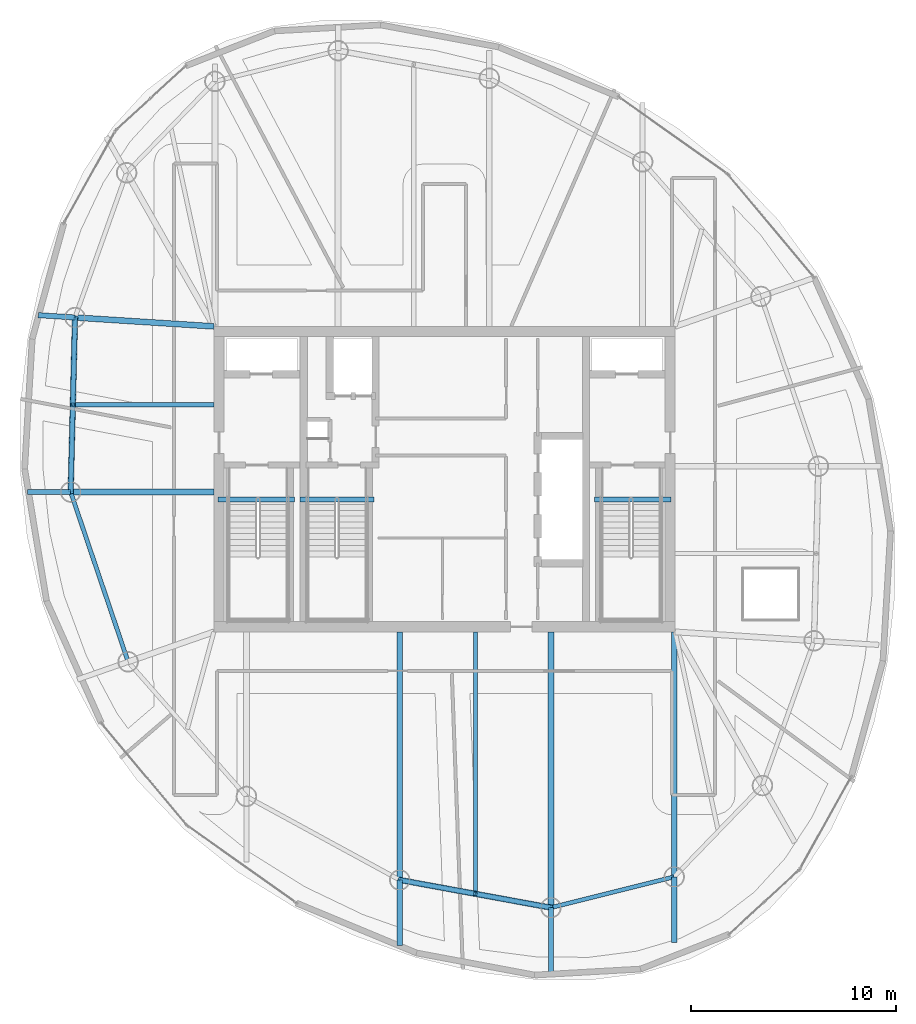
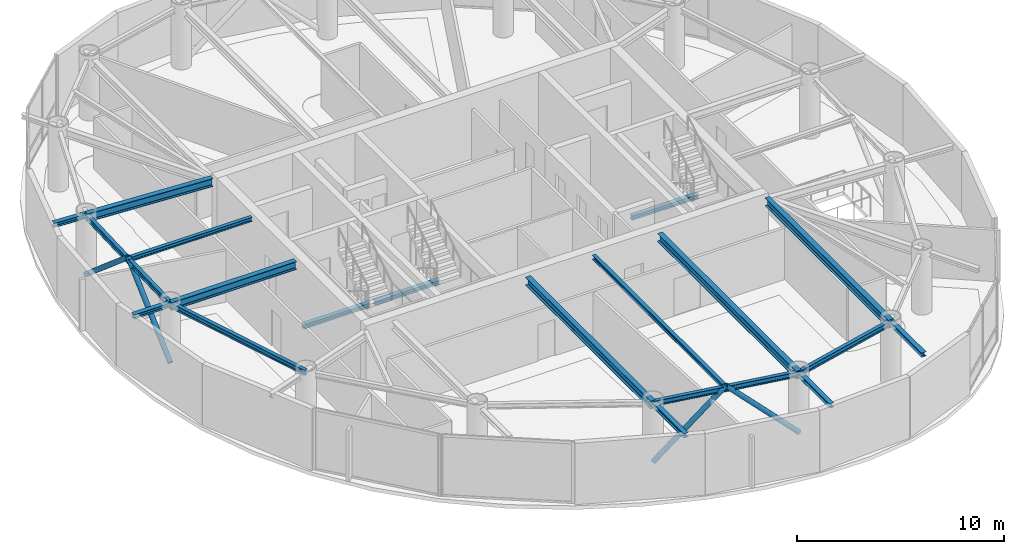
# One storey, part 4 of 17: 19 beams, 4 members.
"""IFC4 building model written with IfcOpenShell, lengths in metres."""

import ifcopenshell
import ifcopenshell.guid

model = None  # the IFC model being written
_history = None  # IfcOwnerHistory: only IFC2X3 demands one
_inside = {}  # id of a spatial element -> (the spatial element, [elements in it])
_under = {}  # id of a project, library or spatial element -> (it, [spatial elements below it])
_declared = {}  # id of a project -> (the project, [libraries it declares])
_typed = {}  # id of a type object -> (the type object, [elements of that type])
_made_of = {}  # id of a material, layer set ... -> (it, [elements and type objects made of it])


def new_model(schema):
    """Start an empty IFC model of exactly this schema.

    Asked for "IFC4X3", IfcOpenShell would pick the latest addendum, in which some entities
    have other attributes; the version numbers below select the first issue.
    IFC2X3 requires an IfcOwnerHistory on every rooted entity: one is made here for all.
    """
    global model, _history
    if schema == "IFC4X3":
        model = ifcopenshell.file(schema_version=(4, 3, 0, 0))
    else:
        model = ifcopenshell.file(schema=schema)
    _inside.clear()
    _under.clear()
    _declared.clear()
    _typed.clear()
    _made_of.clear()
    _history = None
    if model.schema == "IFC2X3":
        org = make("IfcOrganization", Name="unknown")
        user = make(
            "IfcPersonAndOrganization",
            ThePerson=make("IfcPerson", FamilyName="unknown"),
            TheOrganization=org,
        )
        app = make(
            "IfcApplication",
            ApplicationDeveloper=org,
            Version="unknown",
            ApplicationFullName="unknown",
            ApplicationIdentifier="unknown",
        )
        _history = make(
            "IfcOwnerHistory",
            OwningUser=user,
            OwningApplication=app,
            ChangeAction="ADDED",
            CreationDate=0,
        )
    return model


def make(cls, **values):
    """One entity of the class cls with the attributes given. An attribute that is None is left unset."""
    return model.create_entity(
        cls, **{name: value for name, value in values.items() if value is not None}
    )


def rooted(cls, **values):
    """An entity with a GlobalId (a new one), such as an element, a storey or a relation."""
    return make(cls, GlobalId=ifcopenshell.guid.new(), OwnerHistory=_history, **values)


def si_unit(unit_type, name, prefix=None):
    """IfcSIUnit, for example si_unit("LENGTHUNIT", "METRE", prefix="MILLI")."""
    return make("IfcSIUnit", UnitType=unit_type, Prefix=prefix, Name=name)


def assignment(units):
    """IfcUnitAssignment: the units of a project."""
    return None if units is None else make("IfcUnitAssignment", Units=units)


def point(xyz):
    """IfcCartesianPoint."""
    return None if xyz is None else make("IfcCartesianPoint", Coordinates=xyz)


def direction(xyz):
    """IfcDirection."""
    return None if xyz is None else make("IfcDirection", DirectionRatios=xyz)


def frame(location, z_axis=None, x_axis=None):
    """IfcAxis2Placement3D, a coordinate frame: its origin and axes. An axis left out is left unset."""
    return make(
        "IfcAxis2Placement3D",
        Location=point(location),
        Axis=direction(z_axis),
        RefDirection=direction(x_axis),
    )


def frame_2d(location, x_axis=None):
    """IfcAxis2Placement2D, a coordinate frame in the plane: its origin and x axis."""
    return make(
        "IfcAxis2Placement2D", Location=point(location), RefDirection=direction(x_axis)
    )


def origin():
    """The frame at (0, 0, 0) with its axes left unset."""
    return frame((0.0, 0.0, 0.0))


def origin_2d():
    """The frame at (0, 0) in the plane with its x axis left unset."""
    return frame_2d((0.0, 0.0))


def place(relative_to, where):
    """IfcLocalPlacement: puts the frame where relative to a parent placement (None: the world)."""
    return make(
        "IfcLocalPlacement", PlacementRelTo=relative_to, RelativePlacement=where
    )


def context(
    kind, dimensions, precision=None, world=None, true_north=None, identifier=None
):
    """IfcGeometricRepresentationContext, for example the 3D "Model" context."""
    return make(
        "IfcGeometricRepresentationContext",
        ContextIdentifier=identifier,
        ContextType=kind,
        CoordinateSpaceDimension=dimensions,
        Precision=precision,
        WorldCoordinateSystem=world,
        TrueNorth=true_north,
    )


def subcontext(parent, identifier, kind, view, scale=None):
    """IfcGeometricRepresentationSubContext, for example "Body" below "Model"."""
    return make(
        "IfcGeometricRepresentationSubContext",
        ContextIdentifier=identifier,
        ContextType=kind,
        ParentContext=parent,
        TargetScale=scale,
        TargetView=view,
    )


def project(units=None, contexts=None):
    """IfcProject with its units and contexts."""
    return rooted(
        "IfcProject",
        Name="project",
        RepresentationContexts=contexts,
        UnitsInContext=assignment(units),
    )


def spatial(cls, under=None, at=None, **own):
    """A site, building, storey or space (cls), placed at a placement, below another one or the project."""
    s = rooted(cls, ObjectPlacement=at, **own)
    if under is not None:
        _under.setdefault(under.id(), (under, []))[1].append(s)
    return s


def profile(cls, at=None, kind="AREA", **sizes):
    """A parametric profile (cls). Its sizes go by their IFC names, for example OverallWidth=200.0."""
    return make(cls, ProfileType=kind, Position=at, **sizes)


def hollow_circle(**sizes):
    """IfcCircleHollowProfileDef."""
    return profile("IfcCircleHollowProfileDef", **sizes)


def i_section(**sizes):
    """IfcIShapeProfileDef."""
    return profile("IfcIShapeProfileDef", **sizes)


def extrude(swept, where, along, depth):
    """IfcExtrudedAreaSolid: the profile swept, set in the frame where, extruded along a direction by depth."""
    return make(
        "IfcExtrudedAreaSolid",
        SweptArea=swept,
        Position=where,
        ExtrudedDirection=direction(along),
        Depth=depth,
    )


def shape(context_of_items, identifier, shape_type, items):
    """IfcShapeRepresentation: the items that make up one representation, for example the "Body"."""
    return make(
        "IfcShapeRepresentation",
        ContextOfItems=context_of_items,
        RepresentationIdentifier=identifier,
        RepresentationType=shape_type,
        Items=items,
    )


def material(Name=None, Category=None):
    """IfcMaterial."""
    return make("IfcMaterial", Name=Name, Category=Category)


def material_profile(
    of_material, cross_section, Name=None, Category=None, Priority=None
):
    """IfcMaterialProfile: a cross section and its material."""
    return make(
        "IfcMaterialProfile",
        Name=Name,
        Material=of_material,
        Profile=cross_section,
        Priority=Priority,
        Category=Category,
    )


def profile_set(profiles, Name=None, composite=None):
    """IfcMaterialProfileSet."""
    return make(
        "IfcMaterialProfileSet",
        Name=Name,
        MaterialProfiles=profiles,
        CompositeProfile=composite,
    )


def made_of(thing, what):
    """Note that an element or type object is made of a material, layer set ...; save() writes the relation."""
    if what is not None:
        _made_of.setdefault(what.id(), (what, []))[1].append(thing)
    return thing


def type_object(cls, material=None, **own):
    """A type object (cls), such as IfcWallType, which elements share."""
    return made_of(rooted(cls, **own), material)


def element(
    cls,
    number,
    at=None,
    inside=None,
    cuts=None,
    type_object=None,
    material=None,
    context=None,
    identifier="Body",
    shape_type=None,
    held_by="IfcProductDefinitionShape",
    body=None,
    shapes=None,
    **own,
):
    """One element of the class cls, such as IfcWall. Its Tag is "e" and its number.

    at: its placement. inside: the storey or other place that contains it. cuts: it is an
    opening in that element (IfcRelVoidsElement). A single representation is given by context,
    identifier, shape_type and body (its items); several are given by shapes. held_by: the class
    of the entity that holds the representations. save() writes the other relations.
    """
    e = rooted(cls, Tag="e%d" % number, ObjectPlacement=at, **own)
    if body is not None:
        shapes = [shape(context, identifier, shape_type, body)]
    if shapes is not None:
        e.Representation = make(held_by, Representations=shapes)
    if inside is not None:
        _inside.setdefault(inside.id(), (inside, []))[1].append(e)
    if cuts is not None:
        rooted(
            "IfcRelVoidsElement", RelatingBuildingElement=cuts, RelatedOpeningElement=e
        )
    if type_object is not None:
        _typed.setdefault(type_object.id(), (type_object, []))[1].append(e)
    return made_of(e, material)


def aggregate(whole, parts):
    """IfcRelAggregates: a whole, such as a stair, and the parts it consists of."""
    return rooted("IfcRelAggregates", RelatingObject=whole, RelatedObjects=parts)


def save(model, path):
    """Write the relations noted so far, then the file.

    IfcRelAggregates (storeys below a building ...), IfcRelContainedInSpatialStructure (elements
    in a storey), IfcRelDefinesByType, IfcRelAssociatesMaterial and IfcRelDeclares: one each for
    every whole, place, type object, material and project.
    """
    for whole, parts in _under.values():
        aggregate(whole, parts)
    for where, things in _inside.values():
        rooted(
            "IfcRelContainedInSpatialStructure",
            RelatedElements=things,
            RelatingStructure=where,
        )
    for kind, things in _typed.values():
        rooted("IfcRelDefinesByType", RelatedObjects=things, RelatingType=kind)
    for what, things in _made_of.values():
        rooted("IfcRelAssociatesMaterial", RelatedObjects=things, RelatingMaterial=what)
    for by, libraries in _declared.values():
        rooted("IfcRelDeclares", RelatingContext=by, RelatedDefinitions=libraries)
    model.write(path)


model = new_model("IFC4")

# Units and contexts
model_context = context("Model", 3, precision=1e-05, world=origin(), true_north=direction((0.0, 1.0)))
body_context = subcontext(model_context, "Body", "Model", "MODEL_VIEW")
ifc_project = project(units=[si_unit("LENGTHUNIT", "METRE"), si_unit("AREAUNIT", "SQUARE_METRE"), si_unit("VOLUMEUNIT", "CUBIC_METRE"), si_unit("PLANEANGLEUNIT", "RADIAN"), si_unit("MASSUNIT", "GRAM", prefix="KILO")], contexts=[model_context])

# Site, building, storey
site_placement = place(None, origin())
site = spatial("IfcSite", under=ifc_project, at=site_placement, CompositionType="ELEMENT")
building_placement = place(site_placement, origin())
building = spatial("IfcBuilding", under=site, at=building_placement, Name="Bramvorn Convention Spire", CompositionType="ELEMENT")
storey_placement = place(building_placement, frame((0.0, 0.0, 265.14990234375)))
storey = spatial("IfcBuildingStorey", under=building, at=storey_placement, Name="L67", CompositionType="ELEMENT", Elevation=265.14990234375)

# Beams
ifc_material = material(Name="Steel CSA G40.21 Grade 350 (350W)", Category="steel")
ifc_material_profile_1 = material_profile(ifc_material, i_section(OverallWidth=0.201904296875, OverallDepth=0.2470703125, WebThickness=0.00732421875, FlangeThickness=0.010986328125, FilletRadius=0.011962890625, at=origin_2d()))
ifc_profile_set_1 = profile_set([ifc_material_profile_1], Name="Steel CSA G40.21 Grade 350 (350W) - W250X49")
beam_type_1 = type_object("IfcBeamType", Name="BM-W250X49", PredefinedType="JOIST", material=ifc_profile_set_1)
beam_1_placement = place(storey_placement, frame((26.75, 29.626953125, 3.501708984375), z_axis=(-1.0, 0.0, 0.0), x_axis=(0.0, -1.0, 0.0)))
element("IfcBeam", 1, at=beam_1_placement, inside=storey, type_object=beam_type_1, Name="L67 composite floor joist 11", PredefinedType="JOIST", context=body_context, shape_type="SweptSolid", body=[
    extrude(i_section(OverallWidth=0.201904296875, OverallDepth=0.2470703125, WebThickness=0.00732421875, FlangeThickness=0.010986328125, FilletRadius=0.011962890625, at=origin_2d()), origin(), (0.0, 0.0, 1.0), 6.879150390625),
])
beam_2_placement = place(storey_placement, frame((39.501953125, 18.550048828125, 3.501708984375), z_axis=(0.0, -1.0, 0.0), x_axis=(1.0, 0.0, 0.0)))
element("IfcBeam", 2, at=beam_2_placement, inside=storey, type_object=beam_type_1, Name="L67 composite floor joist 15", PredefinedType="JOIST", context=body_context, shape_type="SweptSolid", body=[
    extrude(i_section(OverallWidth=0.201904296875, OverallDepth=0.2470703125, WebThickness=0.00732421875, FlangeThickness=0.010986328125, FilletRadius=0.011962890625, at=origin_2d()), origin(), (0.0, 0.0, 1.0), 12.77587890625),
])
ifc_material_profile_2 = material_profile(ifc_material, i_section(OverallWidth=0.25390625, OverallDepth=0.2529296875, WebThickness=0.008544921875, FlangeThickness=0.01416015625, FilletRadius=0.011962890625, at=origin_2d()))
ifc_profile_set_2 = profile_set([ifc_material_profile_2], Name="Steel CSA G40.21 Grade 350 (350W) - W250X73")
beam_type_2 = type_object("IfcBeamType", Name="BM-W250X73", PredefinedType="BEAM", material=ifc_profile_set_2)
beam_3_placement = place(storey_placement, frame((49.199951171875, 6.60107421875, 3.49853515625), z_axis=(0.0, -1.0, 0.0), x_axis=(1.0, 0.0, 0.0)))
element("IfcBeam", 3, at=beam_3_placement, inside=storey, type_object=beam_type_2, Name="L67 slab-edge cantilever tip beam MC01", PredefinedType="BEAM", context=body_context, shape_type="SweptSolid", body=[
    extrude(i_section(OverallWidth=0.25390625, OverallDepth=0.2529296875, WebThickness=0.008544921875, FlangeThickness=0.01416015625, FilletRadius=0.011962890625, at=origin_2d()), origin(), (0.0, 0.0, 1.0), 3.2001953125),
])
beam_4_placement = place(storey_placement, frame((19.976318359375, 33.883544921875, 3.49853515625), z_axis=(-0.997961529867, 0.063818374353, 0.0), x_axis=(-0.063818374353, -0.997961529867, 0.0)))
element("IfcBeam", 4, at=beam_4_placement, inside=storey, type_object=beam_type_2, Name="L67 slab-edge cantilever tip beam MC11", PredefinedType="BEAM", context=body_context, shape_type="SweptSolid", body=[
    extrude(i_section(OverallWidth=0.25390625, OverallDepth=0.2529296875, WebThickness=0.008544921875, FlangeThickness=0.01416015625, FilletRadius=0.011962890625, at=origin_2d()), origin(), (0.0, 0.0, 1.0), 1.794189453125),
])
beam_5_placement = place(storey_placement, frame((19.765380859375, 25.37060546875, 3.49853515625), z_axis=(-1.0, 0.0, 0.0), x_axis=(0.0, -1.0, 0.0)))
element("IfcBeam", 5, at=beam_5_placement, inside=storey, type_object=beam_type_2, Name="L67 slab-edge cantilever tip beam MC12", PredefinedType="BEAM", context=body_context, shape_type="SweptSolid", body=[
    extrude(i_section(OverallWidth=0.25390625, OverallDepth=0.2529296875, WebThickness=0.008544921875, FlangeThickness=0.01416015625, FilletRadius=0.011962890625, at=origin_2d()), origin(), (0.0, 0.0, 1.0), 2.100830078125),
])
for number, where, z_axis, x_axis, name in (
    (6, (35.8154296875, 6.44921875, 3.49853515625), (0.0, -1.0, 0.0), (1.0, 0.0, 0.0), "L67 slab-edge cantilever tip beam MC15"),
    (7, (43.1884765625, 5.09912109375, 3.49853515625), (0.0, -1.0, 0.0), (1.0, 0.0, 0.0), "L67 slab-edge cantilever tip beam MC16"),
):
    element("IfcBeam", number, at=place(storey_placement, frame(where, z_axis=z_axis, x_axis=x_axis)), inside=storey, type_object=beam_type_2, Name=name, PredefinedType="BEAM", context=body_context, shape_type="SweptSolid", body=[
        extrude(i_section(OverallWidth=0.25390625, OverallDepth=0.2529296875, WebThickness=0.008544921875, FlangeThickness=0.01416015625, FilletRadius=0.011962890625, at=origin_2d()), origin(), (0.0, 0.0, 1.0), 3.199951171875),
    ])
for number, where, z_axis, x_axis, name in (
    (8, (26.949951171875, 25.010009765625, -0.12646484375), (1.0, 0.0, 0.0), (0.0, 1.0, 0.0), "L67 ST1 stair arrival header beam"),
    (9, (45.31005859375, 25.010009765625, -0.12646484375), (1.0, 0.0, 0.0), (0.0, 1.0, 0.0), "L67 ST2 stair arrival header beam"),
):
    element("IfcBeam", number, at=place(storey_placement, frame(where, z_axis=z_axis, x_axis=x_axis)), inside=storey, type_object=beam_type_2, Name=name, PredefinedType="BEAM", context=body_context, shape_type="SweptSolid", body=[
        extrude(i_section(OverallWidth=0.25390625, OverallDepth=0.2529296875, WebThickness=0.008544921875, FlangeThickness=0.01416015625, FilletRadius=0.011962890625, at=origin_2d()), origin(), (0.0, 0.0, 1.0), 3.739990234375),
    ])
beam_6_placement = place(storey_placement, frame((30.949951171875, 25.010009765625, -0.12646484375), z_axis=(1.0, 0.0, 0.0), x_axis=(0.0, 1.0, 0.0)))
element("IfcBeam", 10, at=beam_6_placement, inside=storey, type_object=beam_type_2, Name="L67 ST3 stair arrival header beam", PredefinedType="BEAM", context=body_context, shape_type="SweptSolid", body=[
    extrude(i_section(OverallWidth=0.25390625, OverallDepth=0.2529296875, WebThickness=0.008544921875, FlangeThickness=0.01416015625, FilletRadius=0.011962890625, at=origin_2d()), origin(), (0.0, 0.0, 1.0), 3.610107421875),
])
ifc_material_profile_3 = material_profile(ifc_material, i_section(OverallWidth=0.202880859375, OverallDepth=0.302978515625, WebThickness=0.007568359375, FlangeThickness=0.01318359375, FilletRadius=0.013916015625, at=origin_2d()))
ifc_profile_set_3 = profile_set([ifc_material_profile_3], Name="Steel CSA G40.21 Grade 350 (350W) - W310X60")
beam_type_3 = type_object("IfcBeamType", Name="BM-W310X60", PredefinedType="JOIST", material=ifc_profile_set_3)
beam_7_placement = place(storey_placement, frame((19.976318359375, 33.883544921875, 3.4736328125), z_axis=(-0.024770853371, -0.999693155335, 0.0), x_axis=(0.999693155335, -0.024770853371, 0.0)))
element("IfcBeam", 11, at=beam_7_placement, inside=storey, type_object=beam_type_3, Name="L67 mega-column ring beam 11", PredefinedType="JOIST", context=body_context, shape_type="SweptSolid", body=[
    extrude(i_section(OverallWidth=0.202880859375, OverallDepth=0.302978515625, WebThickness=0.007568359375, FlangeThickness=0.01318359375, FilletRadius=0.013916015625, at=origin_2d()), origin(), (0.0, 0.0, 1.0), 8.515625),
])
beam_8_placement = place(storey_placement, frame((19.765380859375, 25.37060546875, 3.4736328125), z_axis=(0.320531023763, -0.947238018032, 0.0), x_axis=(0.947238018032, 0.320531023763, 0.0)))
element("IfcBeam", 12, at=beam_8_placement, inside=storey, type_object=beam_type_3, Name="L67 mega-column ring beam 12", PredefinedType="JOIST", context=body_context, shape_type="SweptSolid", body=[
    extrude(i_section(OverallWidth=0.202880859375, OverallDepth=0.302978515625, WebThickness=0.007568359375, FlangeThickness=0.01318359375, FilletRadius=0.013916015625, at=origin_2d()), origin(), (0.0, 0.0, 1.0), 8.74169921875),
])
beam_9_placement = place(storey_placement, frame((35.8154296875, 6.44921875, 3.4736328125), z_axis=(0.983645049461, -0.180117785547, 0.0), x_axis=(0.180117785547, 0.983645049461, 0.0)))
element("IfcBeam", 13, at=beam_9_placement, inside=storey, type_object=beam_type_3, Name="L67 mega-column ring beam 15", PredefinedType="JOIST", context=body_context, shape_type="SweptSolid", body=[
    extrude(i_section(OverallWidth=0.202880859375, OverallDepth=0.302978515625, WebThickness=0.007568359375, FlangeThickness=0.01318359375, FilletRadius=0.013916015625, at=origin_2d()), origin(), (0.0, 0.0, 1.0), 7.49560546875),
])
beam_10_placement = place(storey_placement, frame((43.1884765625, 5.09912109375, 3.4736328125), z_axis=(0.970177255997, 0.24239655927, 0.0), x_axis=(-0.24239655927, 0.970177255997, 0.0)))
element("IfcBeam", 14, at=beam_10_placement, inside=storey, type_object=beam_type_3, Name="L67 mega-column ring beam 16", PredefinedType="JOIST", context=body_context, shape_type="SweptSolid", body=[
    extrude(i_section(OverallWidth=0.202880859375, OverallDepth=0.302978515625, WebThickness=0.007568359375, FlangeThickness=0.01318359375, FilletRadius=0.013916015625, at=origin_2d()), origin(), (0.0, 0.0, 1.0), 6.1962890625),
])
ifc_material_profile_4 = material_profile(ifc_material, i_section(OverallWidth=0.283935546875, OverallDepth=0.47607421875, WebThickness=0.014892578125, FlangeThickness=0.02392578125, FilletRadius=0.01806640625, at=origin_2d()))
ifc_profile_set_4 = profile_set([ifc_material_profile_4], Name="Steel CSA G40.21 Grade 350 (350W) - W460X158")
beam_type_4 = type_object("IfcBeamType", Name="BM-W460X158", PredefinedType="SPANDREL", material=ifc_profile_set_4)
beam_11_placement = place(storey_placement, frame((49.199951171875, 18.550048828125, 3.38720703125), z_axis=(0.0, -1.0, 0.0), x_axis=(1.0, 0.0, 0.0)))
element("IfcBeam", 15, at=beam_11_placement, inside=storey, type_object=beam_type_4, Name="L67 radial floor girder MC01", PredefinedType="SPANDREL", context=body_context, shape_type="SweptSolid", body=[
    extrude(i_section(OverallWidth=0.283935546875, OverallDepth=0.47607421875, WebThickness=0.014892578125, FlangeThickness=0.02392578125, FilletRadius=0.01806640625, at=origin_2d()), origin(), (0.0, 0.0, 1.0), 11.948974609375),
])
beam_12_placement = place(storey_placement, frame((26.75, 33.449951171875, 3.38720703125), z_axis=(-0.997957536354, 0.063880792379, 0.0), x_axis=(-0.063880792379, -0.997957536354, 0.0)))
element("IfcBeam", 16, at=beam_12_placement, inside=storey, type_object=beam_type_4, Name="L67 radial floor girder MC11", PredefinedType="SPANDREL", context=body_context, shape_type="SweptSolid", body=[
    extrude(i_section(OverallWidth=0.283935546875, OverallDepth=0.47607421875, WebThickness=0.014892578125, FlangeThickness=0.02392578125, FilletRadius=0.01806640625, at=origin_2d()), origin(), (0.0, 0.0, 1.0), 6.78759765625),
])
beam_13_placement = place(storey_placement, frame((26.75, 25.37060546875, 3.38720703125), z_axis=(-1.0, 0.0, 0.0), x_axis=(0.0, -1.0, 0.0)))
element("IfcBeam", 17, at=beam_13_placement, inside=storey, type_object=beam_type_4, Name="L67 radial floor girder MC12", PredefinedType="SPANDREL", context=body_context, shape_type="SweptSolid", body=[
    extrude(i_section(OverallWidth=0.283935546875, OverallDepth=0.47607421875, WebThickness=0.014892578125, FlangeThickness=0.02392578125, FilletRadius=0.01806640625, at=origin_2d()), origin(), (0.0, 0.0, 1.0), 6.984619140625),
])
beam_14_placement = place(storey_placement, frame((35.8154296875, 18.550048828125, 3.38720703125), z_axis=(0.0, -1.0, 0.0), x_axis=(1.0, 0.0, 0.0)))
element("IfcBeam", 18, at=beam_14_placement, inside=storey, type_object=beam_type_4, Name="L67 radial floor girder MC15", PredefinedType="SPANDREL", context=body_context, shape_type="SweptSolid", body=[
    extrude(i_section(OverallWidth=0.283935546875, OverallDepth=0.47607421875, WebThickness=0.014892578125, FlangeThickness=0.02392578125, FilletRadius=0.01806640625, at=origin_2d()), origin(), (0.0, 0.0, 1.0), 12.100830078125),
])
beam_15_placement = place(storey_placement, frame((43.1884765625, 18.550048828125, 3.38720703125), z_axis=(0.0, -1.0, 0.0), x_axis=(1.0, 0.0, 0.0)))
element("IfcBeam", 19, at=beam_15_placement, inside=storey, type_object=beam_type_4, Name="L67 radial floor girder MC16", PredefinedType="SPANDREL", context=body_context, shape_type="SweptSolid", body=[
    extrude(i_section(OverallWidth=0.283935546875, OverallDepth=0.47607421875, WebThickness=0.014892578125, FlangeThickness=0.02392578125, FilletRadius=0.01806640625, at=origin_2d()), origin(), (0.0, 0.0, 1.0), 13.450927734375),
])

# Members
ifc_material_profile_5 = material_profile(ifc_material, hollow_circle(Radius=0.136474609375, WallThickness=0.0126953125, at=origin_2d()))
ifc_profile_set_5 = profile_set([ifc_material_profile_5], Name="Steel CSA G40.21 Grade 350 (350W) - CHS273X13")
member_type = type_object("IfcMemberType", Name="MBR-CHS273X13", PredefinedType="BRACE", material=ifc_profile_set_5)
member_1_placement = place(storey_placement, frame((19.976318359375, 33.883544921875, 0.0), z_axis=(-0.01886069185, -0.761194820373, 0.648248964319), x_axis=(0.999693172926, -0.02477014343, 0.0)))
element("IfcMember", 20, at=member_1_placement, inside=storey, type_object=member_type, Name="L67 perimeter Gothic lancet brace 11A", PredefinedType="BRACE", context=body_context, shape_type="SweptSolid", body=[
    extrude(hollow_circle(Radius=0.136474609375, WallThickness=0.0126953125, at=origin_2d()), origin(), (0.0, 0.0, 1.0), 5.592041015625),
])
member_2_placement = place(storey_placement, frame((19.765380859375, 25.37060546875, 0.0), z_axis=(0.018861318661, 0.761176457245, 0.64827050804), x_axis=(-0.999693137742, 0.024771563353, 0.0)))
element("IfcMember", 21, at=member_2_placement, inside=storey, type_object=member_type, Name="L67 perimeter Gothic lancet brace 11B", PredefinedType="BRACE", context=body_context, shape_type="SweptSolid", body=[
    extrude(hollow_circle(Radius=0.136474609375, WallThickness=0.0126953125, at=origin_2d()), origin(), (0.0, 0.0, 1.0), 5.591796875),
])
for number, where, z_axis, x_axis, name in (
    (22, (35.8154296875, 6.44921875, 0.0), (0.707030558805, -0.129466191728, 0.69523110842), (0.180117785547, 0.983645049461, 0.0), "L67 perimeter Gothic lancet brace 15A"),
    (23, (43.1884765625, 5.09912109375, 0.0), (-0.707030558805, 0.129466191728, 0.69523110842), (-0.180117785547, -0.983645049461, 0.0), "L67 perimeter Gothic lancet brace 15B"),
):
    element("IfcMember", number, at=place(storey_placement, frame(where, z_axis=z_axis, x_axis=x_axis)), inside=storey, type_object=member_type, Name=name, PredefinedType="BRACE", context=body_context, shape_type="SweptSolid", body=[
        extrude(hollow_circle(Radius=0.136474609375, WallThickness=0.0126953125, at=origin_2d()), origin(), (0.0, 0.0, 1.0), 5.214111328125),
    ])

save(model, "model.ifc")
